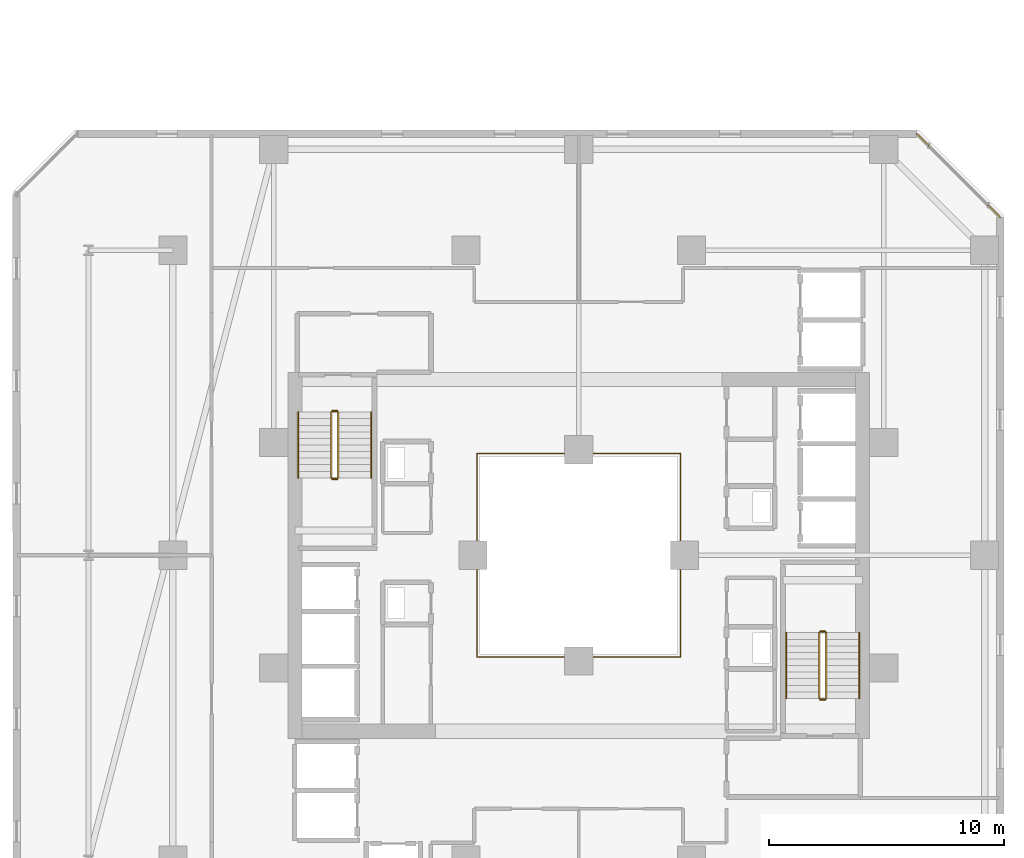
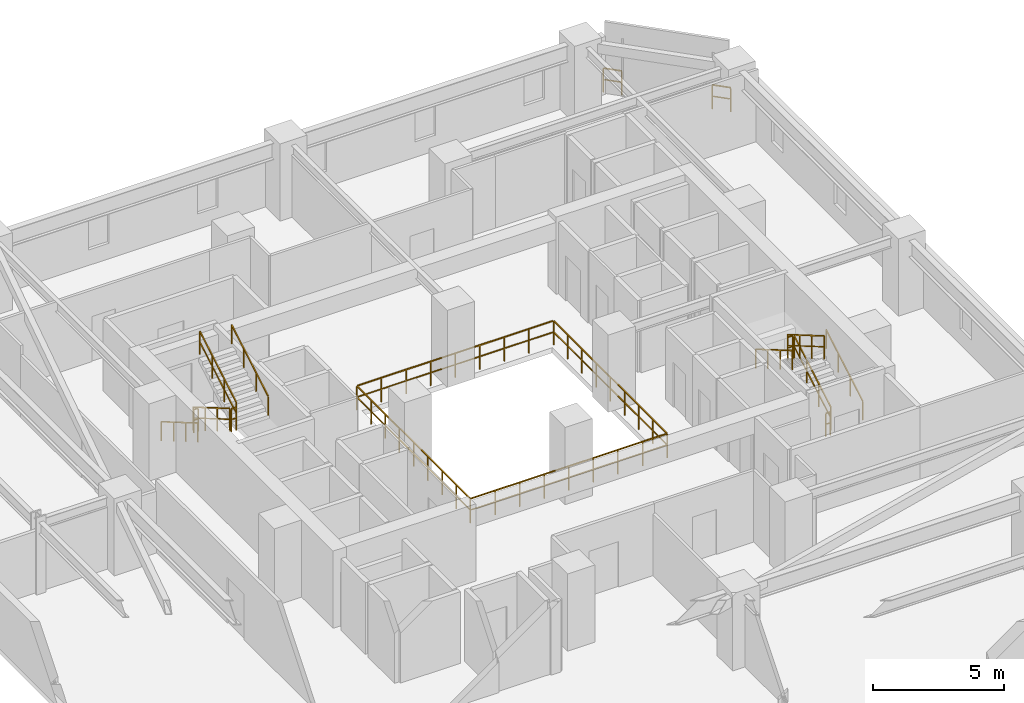
# One storey, part 33 of 33: 15 railings.
"""IFC4 building model written with IfcOpenShell, lengths in metres."""

import ifcopenshell
import ifcopenshell.guid

model = None  # the IFC model being written
_history = None  # IfcOwnerHistory: only IFC2X3 demands one
_inside = {}  # id of a spatial element -> (the spatial element, [elements in it])
_under = {}  # id of a project, library or spatial element -> (it, [spatial elements below it])
_declared = {}  # id of a project -> (the project, [libraries it declares])
_typed = {}  # id of a type object -> (the type object, [elements of that type])
_made_of = {}  # id of a material, layer set ... -> (it, [elements and type objects made of it])


def new_model(schema):
    """Start an empty IFC model of exactly this schema.

    Asked for "IFC4X3", IfcOpenShell would pick the latest addendum, in which some entities
    have other attributes; the version numbers below select the first issue.
    IFC2X3 requires an IfcOwnerHistory on every rooted entity: one is made here for all.
    """
    global model, _history
    if schema == "IFC4X3":
        model = ifcopenshell.file(schema_version=(4, 3, 0, 0))
    else:
        model = ifcopenshell.file(schema=schema)
    _inside.clear()
    _under.clear()
    _declared.clear()
    _typed.clear()
    _made_of.clear()
    _history = None
    if model.schema == "IFC2X3":
        org = make("IfcOrganization", Name="unknown")
        user = make(
            "IfcPersonAndOrganization",
            ThePerson=make("IfcPerson", FamilyName="unknown"),
            TheOrganization=org,
        )
        app = make(
            "IfcApplication",
            ApplicationDeveloper=org,
            Version="unknown",
            ApplicationFullName="unknown",
            ApplicationIdentifier="unknown",
        )
        _history = make(
            "IfcOwnerHistory",
            OwningUser=user,
            OwningApplication=app,
            ChangeAction="ADDED",
            CreationDate=0,
        )
    return model


def make(cls, **values):
    """One entity of the class cls with the attributes given. An attribute that is None is left unset."""
    return model.create_entity(
        cls, **{name: value for name, value in values.items() if value is not None}
    )


def rooted(cls, **values):
    """An entity with a GlobalId (a new one), such as an element, a storey or a relation."""
    return make(cls, GlobalId=ifcopenshell.guid.new(), OwnerHistory=_history, **values)


def si_unit(unit_type, name, prefix=None):
    """IfcSIUnit, for example si_unit("LENGTHUNIT", "METRE", prefix="MILLI")."""
    return make("IfcSIUnit", UnitType=unit_type, Prefix=prefix, Name=name)


def assignment(units):
    """IfcUnitAssignment: the units of a project."""
    return None if units is None else make("IfcUnitAssignment", Units=units)


def point(xyz):
    """IfcCartesianPoint."""
    return None if xyz is None else make("IfcCartesianPoint", Coordinates=xyz)


def direction(xyz):
    """IfcDirection."""
    return None if xyz is None else make("IfcDirection", DirectionRatios=xyz)


def frame(location, z_axis=None, x_axis=None):
    """IfcAxis2Placement3D, a coordinate frame: its origin and axes. An axis left out is left unset."""
    return make(
        "IfcAxis2Placement3D",
        Location=point(location),
        Axis=direction(z_axis),
        RefDirection=direction(x_axis),
    )


def frame_2d(location, x_axis=None):
    """IfcAxis2Placement2D, a coordinate frame in the plane: its origin and x axis."""
    return make(
        "IfcAxis2Placement2D", Location=point(location), RefDirection=direction(x_axis)
    )


def origin():
    """The frame at (0, 0, 0) with its axes left unset."""
    return frame((0.0, 0.0, 0.0))


def origin_2d():
    """The frame at (0, 0) in the plane with its x axis left unset."""
    return frame_2d((0.0, 0.0))


def place(relative_to, where):
    """IfcLocalPlacement: puts the frame where relative to a parent placement (None: the world)."""
    return make(
        "IfcLocalPlacement", PlacementRelTo=relative_to, RelativePlacement=where
    )


def context(
    kind, dimensions, precision=None, world=None, true_north=None, identifier=None
):
    """IfcGeometricRepresentationContext, for example the 3D "Model" context."""
    return make(
        "IfcGeometricRepresentationContext",
        ContextIdentifier=identifier,
        ContextType=kind,
        CoordinateSpaceDimension=dimensions,
        Precision=precision,
        WorldCoordinateSystem=world,
        TrueNorth=true_north,
    )


def subcontext(parent, identifier, kind, view, scale=None):
    """IfcGeometricRepresentationSubContext, for example "Body" below "Model"."""
    return make(
        "IfcGeometricRepresentationSubContext",
        ContextIdentifier=identifier,
        ContextType=kind,
        ParentContext=parent,
        TargetScale=scale,
        TargetView=view,
    )


def project(units=None, contexts=None):
    """IfcProject with its units and contexts."""
    return rooted(
        "IfcProject",
        Name="project",
        RepresentationContexts=contexts,
        UnitsInContext=assignment(units),
    )


def spatial(cls, under=None, at=None, **own):
    """A site, building, storey or space (cls), placed at a placement, below another one or the project."""
    s = rooted(cls, ObjectPlacement=at, **own)
    if under is not None:
        _under.setdefault(under.id(), (under, []))[1].append(s)
    return s


def profile(cls, at=None, kind="AREA", **sizes):
    """A parametric profile (cls). Its sizes go by their IFC names, for example OverallWidth=200.0."""
    return make(cls, ProfileType=kind, Position=at, **sizes)


def rectangle(**sizes):
    """IfcRectangleProfileDef."""
    return profile("IfcRectangleProfileDef", **sizes)


def extrude(swept, where, along, depth):
    """IfcExtrudedAreaSolid: the profile swept, set in the frame where, extruded along a direction by depth."""
    return make(
        "IfcExtrudedAreaSolid",
        SweptArea=swept,
        Position=where,
        ExtrudedDirection=direction(along),
        Depth=depth,
    )


def shape(context_of_items, identifier, shape_type, items):
    """IfcShapeRepresentation: the items that make up one representation, for example the "Body"."""
    return make(
        "IfcShapeRepresentation",
        ContextOfItems=context_of_items,
        RepresentationIdentifier=identifier,
        RepresentationType=shape_type,
        Items=items,
    )


def material(Name=None, Category=None):
    """IfcMaterial."""
    return make("IfcMaterial", Name=Name, Category=Category)


def made_of(thing, what):
    """Note that an element or type object is made of a material, layer set ...; save() writes the relation."""
    if what is not None:
        _made_of.setdefault(what.id(), (what, []))[1].append(thing)
    return thing


def type_object(cls, material=None, **own):
    """A type object (cls), such as IfcWallType, which elements share."""
    return made_of(rooted(cls, **own), material)


def element(
    cls,
    number,
    at=None,
    inside=None,
    cuts=None,
    type_object=None,
    material=None,
    context=None,
    identifier="Body",
    shape_type=None,
    held_by="IfcProductDefinitionShape",
    body=None,
    shapes=None,
    **own,
):
    """One element of the class cls, such as IfcWall. Its Tag is "e" and its number.

    at: its placement. inside: the storey or other place that contains it. cuts: it is an
    opening in that element (IfcRelVoidsElement). A single representation is given by context,
    identifier, shape_type and body (its items); several are given by shapes. held_by: the class
    of the entity that holds the representations. save() writes the other relations.
    """
    e = rooted(cls, Tag="e%d" % number, ObjectPlacement=at, **own)
    if body is not None:
        shapes = [shape(context, identifier, shape_type, body)]
    if shapes is not None:
        e.Representation = make(held_by, Representations=shapes)
    if inside is not None:
        _inside.setdefault(inside.id(), (inside, []))[1].append(e)
    if cuts is not None:
        rooted(
            "IfcRelVoidsElement", RelatingBuildingElement=cuts, RelatedOpeningElement=e
        )
    if type_object is not None:
        _typed.setdefault(type_object.id(), (type_object, []))[1].append(e)
    return made_of(e, material)


def aggregate(whole, parts):
    """IfcRelAggregates: a whole, such as a stair, and the parts it consists of."""
    return rooted("IfcRelAggregates", RelatingObject=whole, RelatedObjects=parts)


def save(model, path):
    """Write the relations noted so far, then the file.

    IfcRelAggregates (storeys below a building ...), IfcRelContainedInSpatialStructure (elements
    in a storey), IfcRelDefinesByType, IfcRelAssociatesMaterial and IfcRelDeclares: one each for
    every whole, place, type object, material and project.
    """
    for whole, parts in _under.values():
        aggregate(whole, parts)
    for where, things in _inside.values():
        rooted(
            "IfcRelContainedInSpatialStructure",
            RelatedElements=things,
            RelatingStructure=where,
        )
    for kind, things in _typed.values():
        rooted("IfcRelDefinesByType", RelatedObjects=things, RelatingType=kind)
    for what, things in _made_of.values():
        rooted("IfcRelAssociatesMaterial", RelatedObjects=things, RelatingMaterial=what)
    for by, libraries in _declared.values():
        rooted("IfcRelDeclares", RelatingContext=by, RelatedDefinitions=libraries)
    model.write(path)


model = new_model("IFC4")

# Units and contexts
model_context = context("Model", 3, precision=1e-05, world=origin(), true_north=direction((0.0, 1.0)))
body_context = subcontext(model_context, "Body", "Model", "MODEL_VIEW")
ifc_project = project(units=[si_unit("LENGTHUNIT", "METRE"), si_unit("AREAUNIT", "SQUARE_METRE"), si_unit("VOLUMEUNIT", "CUBIC_METRE"), si_unit("PLANEANGLEUNIT", "RADIAN"), si_unit("MASSUNIT", "GRAM", prefix="KILO")], contexts=[model_context])

# Site, building, storey
site_placement = place(None, origin())
site = spatial("IfcSite", under=ifc_project, at=site_placement, CompositionType="ELEMENT")
building_placement = place(site_placement, origin())
building = spatial("IfcBuilding", under=site, at=building_placement, Name="Thornwick Lancets Civic Towers", CompositionType="ELEMENT")
storey_placement = place(building_placement, frame((0.0, 0.0, 105.300048828125)))
storey = spatial("IfcBuildingStorey", under=building, at=storey_placement, Name="L27", CompositionType="ELEMENT", Elevation=105.300048828125)

# Railings
ifc_material_1 = material(Name="Laminated glass and bronze steel S355", Category="steel")
railing_type_1 = type_object("IfcRailingType", Name="RAIL_ATRIUM_GUARD", PredefinedType="BALUSTRADE", material=ifc_material_1)
railing_1_placement = place(storey_placement, frame((84.159912109375, 22.659912109375, 0.0)))
element("IfcRailing", 1, at=railing_1_placement, inside=storey, type_object=railing_type_1, Name="L27 Tower B Central Atrium Guard Balustrade", PredefinedType="BALUSTRADE", context=body_context, shape_type="SweptSolid", body=[
    extrude(rectangle(XDim=0.048095703125, YDim=0.048095703125, at=origin_2d()), frame((0.0, 0.0, 1.1259765625), z_axis=(1.0, 0.0, 0.0), x_axis=(0.0, 1.0, 0.0)), (0.0, 0.0, 1.0), 8.64892578125),
    extrude(rectangle(XDim=0.0419921875, YDim=0.0419921875, at=origin_2d()), frame((0.03759765625, 0.0, 0.597900390625), z_axis=(1.0, 0.0, 0.0), x_axis=(0.0, 1.0, 0.0)), (0.0, 0.0, 1.0), 1.010009765625),
    extrude(rectangle(XDim=0.0419921875, YDim=0.0419921875, at=origin_2d()), frame((1.12255859375, 0.0, 0.597900390625), z_axis=(1.0, 0.0, 0.0), x_axis=(0.0, 1.0, 0.0)), (0.0, 0.0, 1.0), 1.010009765625),
    extrude(rectangle(XDim=0.0419921875, YDim=0.0419921875, at=origin_2d()), frame((2.20751953125, 0.0, 0.597900390625), z_axis=(1.0, 0.0, 0.0), x_axis=(0.0, 1.0, 0.0)), (0.0, 0.0, 1.0), 1.010009765625),
    extrude(rectangle(XDim=0.0419921875, YDim=0.0419921875, at=origin_2d()), frame((3.29248046875, 0.0, 0.597900390625), z_axis=(1.0, 0.0, 0.0), x_axis=(0.0, 1.0, 0.0)), (0.0, 0.0, 1.0), 1.010009765625),
    extrude(rectangle(XDim=0.0419921875, YDim=0.0419921875, at=origin_2d()), frame((4.377685546875, 0.0, 0.597900390625), z_axis=(1.0, 0.0, 0.0), x_axis=(0.0, 1.0, 0.0)), (0.0, 0.0, 1.0), 1.010009765625),
    extrude(rectangle(XDim=0.0419921875, YDim=0.0419921875, at=origin_2d()), frame((5.462646484375, 0.0, 0.597900390625), z_axis=(1.0, 0.0, 0.0), x_axis=(0.0, 1.0, 0.0)), (0.0, 0.0, 1.0), 1.010009765625),
    extrude(rectangle(XDim=0.0419921875, YDim=0.0419921875, at=origin_2d()), frame((6.547607421875, 0.0, 0.597900390625), z_axis=(1.0, 0.0, 0.0), x_axis=(0.0, 1.0, 0.0)), (0.0, 0.0, 1.0), 1.010009765625),
    extrude(rectangle(XDim=0.0419921875, YDim=0.0419921875, at=origin_2d()), frame((7.632568359375, 0.0, 0.597900390625), z_axis=(1.0, 0.0, 0.0), x_axis=(0.0, 1.0, 0.0)), (0.0, 0.0, 1.0), 1.010009765625),
    extrude(rectangle(XDim=0.048095703125, YDim=0.048095703125, at=origin_2d()), frame((8.68017578125, 0.03125, 1.1259765625), z_axis=(0.0, 1.0, 0.0), x_axis=(-1.0, 0.0, 0.0)), (0.0, 0.0, 1.0), 8.61767578125),
    extrude(rectangle(XDim=0.0419921875, YDim=0.0419921875, at=origin_2d()), frame((8.68017578125, 0.03759765625, 0.597900390625), z_axis=(0.0, 1.0, 0.0), x_axis=(-1.0, 0.0, 0.0)), (0.0, 0.0, 1.0), 1.010009765625),
    extrude(rectangle(XDim=0.0419921875, YDim=0.0419921875, at=origin_2d()), frame((8.68017578125, 1.12255859375, 0.597900390625), z_axis=(0.0, 1.0, 0.0), x_axis=(-1.0, 0.0, 0.0)), (0.0, 0.0, 1.0), 1.010009765625),
    extrude(rectangle(XDim=0.0419921875, YDim=0.0419921875, at=origin_2d()), frame((8.68017578125, 2.20751953125, 0.597900390625), z_axis=(0.0, 1.0, 0.0), x_axis=(-1.0, 0.0, 0.0)), (0.0, 0.0, 1.0), 1.010009765625),
    extrude(rectangle(XDim=0.0419921875, YDim=0.0419921875, at=origin_2d()), frame((8.68017578125, 3.29248046875, 0.597900390625), z_axis=(0.0, 1.0, 0.0), x_axis=(-1.0, 0.0, 0.0)), (0.0, 0.0, 1.0), 1.010009765625),
    extrude(rectangle(XDim=0.0419921875, YDim=0.0419921875, at=origin_2d()), frame((8.68017578125, 4.377685546875, 0.597900390625), z_axis=(0.0, 1.0, 0.0), x_axis=(-1.0, 0.0, 0.0)), (0.0, 0.0, 1.0), 1.010009765625),
    extrude(rectangle(XDim=0.0419921875, YDim=0.0419921875, at=origin_2d()), frame((8.68017578125, 5.462646484375, 0.597900390625), z_axis=(0.0, 1.0, 0.0), x_axis=(-1.0, 0.0, 0.0)), (0.0, 0.0, 1.0), 1.010009765625),
    extrude(rectangle(XDim=0.0419921875, YDim=0.0419921875, at=origin_2d()), frame((8.68017578125, 6.547607421875, 0.597900390625), z_axis=(0.0, 1.0, 0.0), x_axis=(-1.0, 0.0, 0.0)), (0.0, 0.0, 1.0), 1.010009765625),
    extrude(rectangle(XDim=0.0419921875, YDim=0.0419921875, at=origin_2d()), frame((8.68017578125, 7.632568359375, 0.597900390625), z_axis=(0.0, 1.0, 0.0), x_axis=(-1.0, 0.0, 0.0)), (0.0, 0.0, 1.0), 1.010009765625),
    extrude(rectangle(XDim=0.048095703125, YDim=0.048095703125, at=origin_2d()), frame((8.64892578125, 8.68017578125, 1.1259765625), z_axis=(-1.0, 0.0, 0.0), x_axis=(0.0, -1.0, 0.0)), (0.0, 0.0, 1.0), 8.61767578125),
    extrude(rectangle(XDim=0.0419921875, YDim=0.0419921875, at=origin_2d()), frame((8.642578125, 8.68017578125, 0.597900390625), z_axis=(-1.0, 0.0, 0.0), x_axis=(0.0, -1.0, 0.0)), (0.0, 0.0, 1.0), 1.010009765625),
    extrude(rectangle(XDim=0.0419921875, YDim=0.0419921875, at=origin_2d()), frame((7.5576171875, 8.68017578125, 0.597900390625), z_axis=(-1.0, 0.0, 0.0), x_axis=(0.0, -1.0, 0.0)), (0.0, 0.0, 1.0), 1.010009765625),
    extrude(rectangle(XDim=0.0419921875, YDim=0.0419921875, at=origin_2d()), frame((6.47265625, 8.68017578125, 0.597900390625), z_axis=(-1.0, 0.0, 0.0), x_axis=(0.0, -1.0, 0.0)), (0.0, 0.0, 1.0), 1.010009765625),
    extrude(rectangle(XDim=0.0419921875, YDim=0.0419921875, at=origin_2d()), frame((5.3876953125, 8.68017578125, 0.597900390625), z_axis=(-1.0, 0.0, 0.0), x_axis=(0.0, -1.0, 0.0)), (0.0, 0.0, 1.0), 1.010009765625),
    extrude(rectangle(XDim=0.0419921875, YDim=0.0419921875, at=origin_2d()), frame((4.302490234375, 8.68017578125, 0.597900390625), z_axis=(-1.0, 0.0, 0.0), x_axis=(0.0, -1.0, 0.0)), (0.0, 0.0, 1.0), 1.010009765625),
    extrude(rectangle(XDim=0.0419921875, YDim=0.0419921875, at=origin_2d()), frame((3.217529296875, 8.68017578125, 0.597900390625), z_axis=(-1.0, 0.0, 0.0), x_axis=(0.0, -1.0, 0.0)), (0.0, 0.0, 1.0), 1.010009765625),
    extrude(rectangle(XDim=0.0419921875, YDim=0.0419921875, at=origin_2d()), frame((2.132568359375, 8.68017578125, 0.597900390625), z_axis=(-1.0, 0.0, 0.0), x_axis=(0.0, -1.0, 0.0)), (0.0, 0.0, 1.0), 1.010009765625),
    extrude(rectangle(XDim=0.0419921875, YDim=0.0419921875, at=origin_2d()), frame((1.047607421875, 8.68017578125, 0.597900390625), z_axis=(-1.0, 0.0, 0.0), x_axis=(0.0, -1.0, 0.0)), (0.0, 0.0, 1.0), 1.010009765625),
    extrude(rectangle(XDim=0.048095703125, YDim=0.048095703125, at=origin_2d()), frame((0.0, 8.64892578125, 1.1259765625), z_axis=(0.0, -1.0, 0.0), x_axis=(1.0, 0.0, 0.0)), (0.0, 0.0, 1.0), 8.64892578125),
    extrude(rectangle(XDim=0.0419921875, YDim=0.0419921875, at=origin_2d()), frame((0.0, 8.642578125, 0.597900390625), z_axis=(0.0, -1.0, 0.0), x_axis=(1.0, 0.0, 0.0)), (0.0, 0.0, 1.0), 1.010009765625),
    extrude(rectangle(XDim=0.0419921875, YDim=0.0419921875, at=origin_2d()), frame((0.0, 7.5576171875, 0.597900390625), z_axis=(0.0, -1.0, 0.0), x_axis=(1.0, 0.0, 0.0)), (0.0, 0.0, 1.0), 1.010009765625),
    extrude(rectangle(XDim=0.0419921875, YDim=0.0419921875, at=origin_2d()), frame((0.0, 6.47265625, 0.597900390625), z_axis=(0.0, -1.0, 0.0), x_axis=(1.0, 0.0, 0.0)), (0.0, 0.0, 1.0), 1.010009765625),
    extrude(rectangle(XDim=0.0419921875, YDim=0.0419921875, at=origin_2d()), frame((0.0, 5.3876953125, 0.597900390625), z_axis=(0.0, -1.0, 0.0), x_axis=(1.0, 0.0, 0.0)), (0.0, 0.0, 1.0), 1.010009765625),
    extrude(rectangle(XDim=0.0419921875, YDim=0.0419921875, at=origin_2d()), frame((0.0, 4.302490234375, 0.597900390625), z_axis=(0.0, -1.0, 0.0), x_axis=(1.0, 0.0, 0.0)), (0.0, 0.0, 1.0), 1.010009765625),
    extrude(rectangle(XDim=0.0419921875, YDim=0.0419921875, at=origin_2d()), frame((0.0, 3.217529296875, 0.597900390625), z_axis=(0.0, -1.0, 0.0), x_axis=(1.0, 0.0, 0.0)), (0.0, 0.0, 1.0), 1.010009765625),
    extrude(rectangle(XDim=0.0419921875, YDim=0.0419921875, at=origin_2d()), frame((0.0, 2.132568359375, 0.597900390625), z_axis=(0.0, -1.0, 0.0), x_axis=(1.0, 0.0, 0.0)), (0.0, 0.0, 1.0), 1.010009765625),
    extrude(rectangle(XDim=0.0419921875, YDim=0.0419921875, at=origin_2d()), frame((0.0, 1.047607421875, 0.597900390625), z_axis=(0.0, -1.0, 0.0), x_axis=(1.0, 0.0, 0.0)), (0.0, 0.0, 1.0), 1.010009765625),
    extrude(rectangle(XDim=0.0419921875, YDim=0.0419921875, at=origin_2d()), origin(), (0.0, 0.0, 1.0), 1.095703125),
    extrude(rectangle(XDim=0.0419921875, YDim=0.0419921875, at=origin_2d()), frame((1.0849609375, 0.0, 0.0)), (0.0, 0.0, 1.0), 1.095703125),
    extrude(rectangle(XDim=0.0419921875, YDim=0.0419921875, at=origin_2d()), frame((2.169921875, 0.0, 0.0)), (0.0, 0.0, 1.0), 1.095703125),
    extrude(rectangle(XDim=0.0419921875, YDim=0.0419921875, at=origin_2d()), frame((3.255126953125, 0.0, 0.0)), (0.0, 0.0, 1.0), 1.095703125),
    extrude(rectangle(XDim=0.0419921875, YDim=0.0419921875, at=origin_2d()), frame((4.340087890625, 0.0, 0.0)), (0.0, 0.0, 1.0), 1.095703125),
    extrude(rectangle(XDim=0.0419921875, YDim=0.0419921875, at=origin_2d()), frame((5.425048828125, 0.0, 0.0)), (0.0, 0.0, 1.0), 1.095703125),
    extrude(rectangle(XDim=0.0419921875, YDim=0.0419921875, at=origin_2d()), frame((6.51025390625, 0.0, 0.0)), (0.0, 0.0, 1.0), 1.095703125),
    extrude(rectangle(XDim=0.0419921875, YDim=0.0419921875, at=origin_2d()), frame((7.59521484375, 0.0, 0.0)), (0.0, 0.0, 1.0), 1.095703125),
    extrude(rectangle(XDim=0.0419921875, YDim=0.0419921875, at=origin_2d()), frame((8.68017578125, 0.0, 0.0)), (0.0, 0.0, 1.0), 1.095703125),
    extrude(rectangle(XDim=0.0419921875, YDim=0.0419921875, at=origin_2d()), frame((8.68017578125, 1.0849609375, 0.0)), (0.0, 0.0, 1.0), 1.095703125),
    extrude(rectangle(XDim=0.0419921875, YDim=0.0419921875, at=origin_2d()), frame((8.68017578125, 2.169921875, 0.0)), (0.0, 0.0, 1.0), 1.095703125),
    extrude(rectangle(XDim=0.0419921875, YDim=0.0419921875, at=origin_2d()), frame((8.68017578125, 3.255126953125, 0.0)), (0.0, 0.0, 1.0), 1.095703125),
    extrude(rectangle(XDim=0.0419921875, YDim=0.0419921875, at=origin_2d()), frame((8.68017578125, 4.340087890625, 0.0)), (0.0, 0.0, 1.0), 1.095703125),
    extrude(rectangle(XDim=0.0419921875, YDim=0.0419921875, at=origin_2d()), frame((8.68017578125, 5.425048828125, 0.0)), (0.0, 0.0, 1.0), 1.095703125),
    extrude(rectangle(XDim=0.0419921875, YDim=0.0419921875, at=origin_2d()), frame((8.68017578125, 6.51025390625, 0.0)), (0.0, 0.0, 1.0), 1.095703125),
    extrude(rectangle(XDim=0.0419921875, YDim=0.0419921875, at=origin_2d()), frame((8.68017578125, 7.59521484375, 0.0)), (0.0, 0.0, 1.0), 1.095703125),
    extrude(rectangle(XDim=0.0419921875, YDim=0.0419921875, at=origin_2d()), frame((8.68017578125, 8.68017578125, 0.0)), (0.0, 0.0, 1.0), 1.095703125),
    extrude(rectangle(XDim=0.0419921875, YDim=0.0419921875, at=origin_2d()), frame((7.59521484375, 8.68017578125, 0.0)), (0.0, 0.0, 1.0), 1.095703125),
    extrude(rectangle(XDim=0.0419921875, YDim=0.0419921875, at=origin_2d()), frame((6.51025390625, 8.68017578125, 0.0)), (0.0, 0.0, 1.0), 1.095703125),
    extrude(rectangle(XDim=0.0419921875, YDim=0.0419921875, at=origin_2d()), frame((5.425048828125, 8.68017578125, 0.0)), (0.0, 0.0, 1.0), 1.095703125),
    extrude(rectangle(XDim=0.0419921875, YDim=0.0419921875, at=origin_2d()), frame((4.340087890625, 8.68017578125, 0.0)), (0.0, 0.0, 1.0), 1.095703125),
    extrude(rectangle(XDim=0.0419921875, YDim=0.0419921875, at=origin_2d()), frame((3.255126953125, 8.68017578125, 0.0)), (0.0, 0.0, 1.0), 1.095703125),
    extrude(rectangle(XDim=0.0419921875, YDim=0.0419921875, at=origin_2d()), frame((2.169921875, 8.68017578125, 0.0)), (0.0, 0.0, 1.0), 1.095703125),
    extrude(rectangle(XDim=0.0419921875, YDim=0.0419921875, at=origin_2d()), frame((1.0849609375, 8.68017578125, 0.0)), (0.0, 0.0, 1.0), 1.095703125),
    extrude(rectangle(XDim=0.0419921875, YDim=0.0419921875, at=origin_2d()), frame((0.0, 8.68017578125, 0.0)), (0.0, 0.0, 1.0), 1.095703125),
    extrude(rectangle(XDim=0.0419921875, YDim=0.0419921875, at=origin_2d()), frame((0.0, 7.59521484375, 0.0)), (0.0, 0.0, 1.0), 1.095703125),
    extrude(rectangle(XDim=0.0419921875, YDim=0.0419921875, at=origin_2d()), frame((0.0, 6.51025390625, 0.0)), (0.0, 0.0, 1.0), 1.095703125),
    extrude(rectangle(XDim=0.0419921875, YDim=0.0419921875, at=origin_2d()), frame((0.0, 5.425048828125, 0.0)), (0.0, 0.0, 1.0), 1.095703125),
    extrude(rectangle(XDim=0.0419921875, YDim=0.0419921875, at=origin_2d()), frame((0.0, 4.340087890625, 0.0)), (0.0, 0.0, 1.0), 1.095703125),
    extrude(rectangle(XDim=0.0419921875, YDim=0.0419921875, at=origin_2d()), frame((0.0, 3.255126953125, 0.0)), (0.0, 0.0, 1.0), 1.095703125),
    extrude(rectangle(XDim=0.0419921875, YDim=0.0419921875, at=origin_2d()), frame((0.0, 2.169921875, 0.0)), (0.0, 0.0, 1.0), 1.095703125),
    extrude(rectangle(XDim=0.0419921875, YDim=0.0419921875, at=origin_2d()), frame((0.0, 1.0849609375, 0.0)), (0.0, 0.0, 1.0), 1.095703125),
])
ifc_material_2 = material(Name="Brushed stainless steel S355", Category="steel")
railing_type_2 = type_object("IfcRailingType", Name="RAIL_HANDRAIL", PredefinedType="HANDRAIL", material=ifc_material_2)
railing_2_placement = place(storey_placement, frame((100.449951171875, 20.89990234375, 0.16357421875)))
element("IfcRailing", 2, at=railing_2_placement, inside=storey, type_object=railing_type_2, Name="L27 ST-B1 stair handrail 1", PredefinedType="HANDRAIL", context=body_context, shape_type="SweptSolid", body=[
    extrude(rectangle(XDim=0.048095703125, YDim=0.048095703125, at=origin_2d()), frame((0.0, 0.0, 0.8857421875), z_axis=(0.0, 0.863360870873, 0.504586966384), x_axis=(-1.0, 0.0, 0.0)), (0.0, 0.0, 1.0), 3.2431640625),
    extrude(rectangle(XDim=0.0419921875, YDim=0.0419921875, at=origin_2d()), origin(), (0.0, 0.0, 1.0), 0.855712890625),
    extrude(rectangle(XDim=0.0419921875, YDim=0.0419921875, at=origin_2d()), frame((0.0, 0.933349609375, 0.54541015625)), (0.0, 0.0, 1.0), 0.855712890625),
    extrude(rectangle(XDim=0.0419921875, YDim=0.0419921875, at=origin_2d()), frame((0.0, 1.86669921875, 1.091064453125)), (0.0, 0.0, 1.0), 0.855712890625),
    extrude(rectangle(XDim=0.0419921875, YDim=0.0419921875, at=origin_2d()), frame((0.0, 2.800048828125, 1.636474609375)), (0.0, 0.0, 1.0), 0.855712890625),
])
railing_3_placement = place(storey_placement, frame((97.35009765625, 23.699951171875, 1.963623046875)))
element("IfcRailing", 3, at=railing_3_placement, inside=storey, type_object=railing_type_2, Name="L27 ST-B1 stair handrail 2", PredefinedType="HANDRAIL", context=body_context, shape_type="SweptSolid", body=[
    extrude(rectangle(XDim=0.048095703125, YDim=0.048095703125, at=origin_2d()), frame((0.0, 0.0, 0.8857421875), z_axis=(0.0, -0.863393664356, 0.504530851732), x_axis=(1.0, 0.0, 0.0)), (0.0, 0.0, 1.0), 3.2431640625),
    extrude(rectangle(XDim=0.0419921875, YDim=0.0419921875, at=origin_2d()), origin(), (0.0, 0.0, 1.0), 0.855712890625),
    extrude(rectangle(XDim=0.0419921875, YDim=0.0419921875, at=origin_2d()), frame((0.0, -0.933349609375, 0.54541015625)), (0.0, 0.0, 1.0), 0.855712890625),
    extrude(rectangle(XDim=0.0419921875, YDim=0.0419921875, at=origin_2d()), frame((0.0, -1.86669921875, 1.0908203125)), (0.0, 0.0, 1.0), 0.855712890625),
    extrude(rectangle(XDim=0.0419921875, YDim=0.0419921875, at=origin_2d()), frame((0.0, -2.800048828125, 1.63623046875)), (0.0, 0.0, 1.0), 0.855712890625),
])
railing_4_placement = place(storey_placement, frame((76.550048828125, 33.10009765625, 0.16357421875)))
element("IfcRailing", 4, at=railing_4_placement, inside=storey, type_object=railing_type_2, Name="L27 ST-B2 stair handrail 1", PredefinedType="HANDRAIL", context=body_context, shape_type="SweptSolid", body=[
    extrude(rectangle(XDim=0.048095703125, YDim=0.048095703125, at=origin_2d()), frame((0.0, 0.0, 0.8857421875), z_axis=(0.0, -0.863360870873, 0.504586966384), x_axis=(1.0, 0.0, 0.0)), (0.0, 0.0, 1.0), 3.2431640625),
    extrude(rectangle(XDim=0.0419921875, YDim=0.0419921875, at=origin_2d()), origin(), (0.0, 0.0, 1.0), 0.855712890625),
    extrude(rectangle(XDim=0.0419921875, YDim=0.0419921875, at=origin_2d()), frame((0.0, -0.933349609375, 0.54541015625)), (0.0, 0.0, 1.0), 0.855712890625),
    extrude(rectangle(XDim=0.0419921875, YDim=0.0419921875, at=origin_2d()), frame((0.0, -1.86669921875, 1.091064453125)), (0.0, 0.0, 1.0), 0.855712890625),
    extrude(rectangle(XDim=0.0419921875, YDim=0.0419921875, at=origin_2d()), frame((0.0, -2.800048828125, 1.636474609375)), (0.0, 0.0, 1.0), 0.855712890625),
])
railing_5_placement = place(storey_placement, frame((79.64990234375, 30.300048828125, 1.963623046875)))
element("IfcRailing", 5, at=railing_5_placement, inside=storey, type_object=railing_type_2, Name="L27 ST-B2 stair handrail 2", PredefinedType="HANDRAIL", context=body_context, shape_type="SweptSolid", body=[
    extrude(rectangle(XDim=0.048095703125, YDim=0.048095703125, at=origin_2d()), frame((0.0, 0.0, 0.8857421875), z_axis=(0.0, 0.863393664356, 0.504530851732), x_axis=(-1.0, 0.0, 0.0)), (0.0, 0.0, 1.0), 3.2431640625),
    extrude(rectangle(XDim=0.0419921875, YDim=0.0419921875, at=origin_2d()), origin(), (0.0, 0.0, 1.0), 0.855712890625),
    extrude(rectangle(XDim=0.0419921875, YDim=0.0419921875, at=origin_2d()), frame((0.0, 0.933349609375, 0.54541015625)), (0.0, 0.0, 1.0), 0.855712890625),
    extrude(rectangle(XDim=0.0419921875, YDim=0.0419921875, at=origin_2d()), frame((0.0, 1.86669921875, 1.0908203125)), (0.0, 0.0, 1.0), 0.855712890625),
    extrude(rectangle(XDim=0.0419921875, YDim=0.0419921875, at=origin_2d()), frame((0.0, 2.800048828125, 1.63623046875)), (0.0, 0.0, 1.0), 0.855712890625),
])
ifc_material_3 = material(Name="Steel S355JR", Category="steel")
railing_type_3 = type_object("IfcRailingType", Name="RAIL_STAIR_GUARD", PredefinedType="GUARDRAIL", material=ifc_material_3)
railing_6_placement = place(storey_placement, frame((99.050048828125, 20.89990234375, 0.16357421875)))
element("IfcRailing", 6, at=railing_6_placement, inside=storey, type_object=railing_type_3, Name="L27 ST-B1 stair guard 1", PredefinedType="GUARDRAIL", context=body_context, shape_type="SweptSolid", body=[
    extrude(rectangle(XDim=0.048095703125, YDim=0.048095703125, at=origin_2d()), frame((0.0, 0.0, 1.076171875), z_axis=(0.0, 0.863360870873, 0.504586966384), x_axis=(-1.0, 0.0, 0.0)), (0.0, 0.0, 1.0), 3.2431640625),
    extrude(rectangle(XDim=0.0419921875, YDim=0.0419921875, at=origin_2d()), frame((0.0, 0.032470703125, 0.591064453125), z_axis=(0.0, 0.863360870873, 0.504586966384), x_axis=(-1.0, 0.0, 0.0)), (0.0, 0.0, 1.0), 1.006103515625),
    extrude(rectangle(XDim=0.0419921875, YDim=0.0419921875, at=origin_2d()), frame((0.0, 0.9658203125, 1.136474609375), z_axis=(0.0, 0.863360870873, 0.504586966384), x_axis=(-1.0, 0.0, 0.0)), (0.0, 0.0, 1.0), 1.006103515625),
    extrude(rectangle(XDim=0.0419921875, YDim=0.0419921875, at=origin_2d()), frame((0.0, 1.899169921875, 1.681884765625), z_axis=(0.0, 0.863360870873, 0.504586966384), x_axis=(-1.0, 0.0, 0.0)), (0.0, 0.0, 1.0), 1.006103515625),
    extrude(rectangle(XDim=0.0419921875, YDim=0.0419921875, at=origin_2d()), origin(), (0.0, 0.0, 1.0), 1.0458984375),
    extrude(rectangle(XDim=0.0419921875, YDim=0.0419921875, at=origin_2d()), frame((0.0, 0.933349609375, 0.54541015625)), (0.0, 0.0, 1.0), 1.0458984375),
    extrude(rectangle(XDim=0.0419921875, YDim=0.0419921875, at=origin_2d()), frame((0.0, 1.86669921875, 1.091064453125)), (0.0, 0.0, 1.0), 1.0458984375),
    extrude(rectangle(XDim=0.0419921875, YDim=0.0419921875, at=origin_2d()), frame((0.0, 2.800048828125, 1.636474609375)), (0.0, 0.0, 1.0), 1.0458984375),
])
railing_7_placement = place(storey_placement, frame((99.0, 23.75, 1.800048828125)))
element("IfcRailing", 7, at=railing_7_placement, inside=storey, type_object=railing_type_3, Name="L27 ST-B1 stair guard 2", PredefinedType="GUARDRAIL", context=body_context, shape_type="SweptSolid", body=[
    extrude(rectangle(XDim=0.048095703125, YDim=0.048095703125, at=origin_2d()), frame((0.0, 0.0, 1.076171875), z_axis=(-1.0, 0.0, 0.0), x_axis=(0.0, -1.0, 0.0)), (0.0, 0.0, 1.0), 0.199951171875),
    extrude(rectangle(XDim=0.0419921875, YDim=0.0419921875, at=origin_2d()), frame((-0.03759765625, 0.0, 0.572021484375), z_axis=(-1.0, 0.0, 0.0), x_axis=(0.0, -1.0, 0.0)), (0.0, 0.0, 1.0), 0.125),
    extrude(rectangle(XDim=0.0419921875, YDim=0.0419921875, at=origin_2d()), origin(), (0.0, 0.0, 1.0), 1.0458984375),
    extrude(rectangle(XDim=0.0419921875, YDim=0.0419921875, at=origin_2d()), frame((-0.199951171875, 0.0, 0.0)), (0.0, 0.0, 1.0), 1.0458984375),
])
railing_8_placement = place(storey_placement, frame((98.75, 23.699951171875, 1.963623046875)))
element("IfcRailing", 8, at=railing_8_placement, inside=storey, type_object=railing_type_3, Name="L27 ST-B1 stair guard 3", PredefinedType="GUARDRAIL", context=body_context, shape_type="SweptSolid", body=[
    extrude(rectangle(XDim=0.048095703125, YDim=0.048095703125, at=origin_2d()), frame((0.0, 0.0, 1.076171875), z_axis=(0.0, -0.863393664356, 0.504530851732), x_axis=(1.0, 0.0, 0.0)), (0.0, 0.0, 1.0), 3.2431640625),
    extrude(rectangle(XDim=0.0419921875, YDim=0.0419921875, at=origin_2d()), frame((0.0, -0.032470703125, 0.591064453125), z_axis=(0.0, -0.863393664356, 0.504530851732), x_axis=(1.0, 0.0, 0.0)), (0.0, 0.0, 1.0), 1.006103515625),
    extrude(rectangle(XDim=0.0419921875, YDim=0.0419921875, at=origin_2d()), frame((0.0, -0.9658203125, 1.136474609375), z_axis=(0.0, -0.863393664356, 0.504530851732), x_axis=(1.0, 0.0, 0.0)), (0.0, 0.0, 1.0), 1.006103515625),
    extrude(rectangle(XDim=0.0419921875, YDim=0.0419921875, at=origin_2d()), frame((0.0, -1.899169921875, 1.681884765625), z_axis=(0.0, -0.863393664356, 0.504530851732), x_axis=(1.0, 0.0, 0.0)), (0.0, 0.0, 1.0), 1.006103515625),
    extrude(rectangle(XDim=0.0419921875, YDim=0.0419921875, at=origin_2d()), origin(), (0.0, 0.0, 1.0), 1.0458984375),
    extrude(rectangle(XDim=0.0419921875, YDim=0.0419921875, at=origin_2d()), frame((0.0, -0.933349609375, 0.54541015625)), (0.0, 0.0, 1.0), 1.0458984375),
    extrude(rectangle(XDim=0.0419921875, YDim=0.0419921875, at=origin_2d()), frame((0.0, -1.86669921875, 1.0908203125)), (0.0, 0.0, 1.0), 1.0458984375),
    extrude(rectangle(XDim=0.0419921875, YDim=0.0419921875, at=origin_2d()), frame((0.0, -2.800048828125, 1.63623046875)), (0.0, 0.0, 1.0), 1.0458984375),
])
railing_9_placement = place(storey_placement, frame((99.0, 20.85009765625, 0.0)))
element("IfcRailing", 9, at=railing_9_placement, inside=storey, type_object=railing_type_3, Name="L27 ST-B1 stair guard 4", PredefinedType="GUARDRAIL", context=body_context, shape_type="SweptSolid", body=[
    extrude(rectangle(XDim=0.048095703125, YDim=0.048095703125, at=origin_2d()), frame((0.0, 0.0, 1.076171875), z_axis=(-1.0, 0.0, 0.0), x_axis=(0.0, -1.0, 0.0)), (0.0, 0.0, 1.0), 0.199951171875),
    extrude(rectangle(XDim=0.0419921875, YDim=0.0419921875, at=origin_2d()), frame((-0.03759765625, 0.0, 0.572021484375), z_axis=(-1.0, 0.0, 0.0), x_axis=(0.0, -1.0, 0.0)), (0.0, 0.0, 1.0), 0.125),
    extrude(rectangle(XDim=0.0419921875, YDim=0.0419921875, at=origin_2d()), origin(), (0.0, 0.0, 1.0), 1.0458984375),
    extrude(rectangle(XDim=0.0419921875, YDim=0.0419921875, at=origin_2d()), frame((-0.199951171875, 0.0, 0.0)), (0.0, 0.0, 1.0), 1.0458984375),
])
railing_10_placement = place(storey_placement, frame((77.949951171875, 33.10009765625, 0.16357421875)))
element("IfcRailing", 10, at=railing_10_placement, inside=storey, type_object=railing_type_3, Name="L27 ST-B2 stair guard 1", PredefinedType="GUARDRAIL", context=body_context, shape_type="SweptSolid", body=[
    extrude(rectangle(XDim=0.048095703125, YDim=0.048095703125, at=origin_2d()), frame((0.0, 0.0, 1.076171875), z_axis=(0.0, -0.863360870873, 0.504586966384), x_axis=(1.0, 0.0, 0.0)), (0.0, 0.0, 1.0), 3.2431640625),
    extrude(rectangle(XDim=0.0419921875, YDim=0.0419921875, at=origin_2d()), frame((0.0, -0.032470703125, 0.591064453125), z_axis=(0.0, -0.863360870873, 0.504586966384), x_axis=(1.0, 0.0, 0.0)), (0.0, 0.0, 1.0), 1.006103515625),
    extrude(rectangle(XDim=0.0419921875, YDim=0.0419921875, at=origin_2d()), frame((0.0, -0.9658203125, 1.136474609375), z_axis=(0.0, -0.863360870873, 0.504586966384), x_axis=(1.0, 0.0, 0.0)), (0.0, 0.0, 1.0), 1.006103515625),
    extrude(rectangle(XDim=0.0419921875, YDim=0.0419921875, at=origin_2d()), frame((0.0, -1.899169921875, 1.681884765625), z_axis=(0.0, -0.863360870873, 0.504586966384), x_axis=(1.0, 0.0, 0.0)), (0.0, 0.0, 1.0), 1.006103515625),
    extrude(rectangle(XDim=0.0419921875, YDim=0.0419921875, at=origin_2d()), origin(), (0.0, 0.0, 1.0), 1.0458984375),
    extrude(rectangle(XDim=0.0419921875, YDim=0.0419921875, at=origin_2d()), frame((0.0, -0.933349609375, 0.54541015625)), (0.0, 0.0, 1.0), 1.0458984375),
    extrude(rectangle(XDim=0.0419921875, YDim=0.0419921875, at=origin_2d()), frame((0.0, -1.86669921875, 1.091064453125)), (0.0, 0.0, 1.0), 1.0458984375),
    extrude(rectangle(XDim=0.0419921875, YDim=0.0419921875, at=origin_2d()), frame((0.0, -2.800048828125, 1.636474609375)), (0.0, 0.0, 1.0), 1.0458984375),
])
railing_11_placement = place(storey_placement, frame((78.0, 30.25, 1.800048828125)))
element("IfcRailing", 11, at=railing_11_placement, inside=storey, type_object=railing_type_3, Name="L27 ST-B2 stair guard 2", PredefinedType="GUARDRAIL", context=body_context, shape_type="SweptSolid", body=[
    extrude(rectangle(XDim=0.048095703125, YDim=0.048095703125, at=origin_2d()), frame((0.0, 0.0, 1.076171875), z_axis=(1.0, 0.0, 0.0), x_axis=(0.0, 1.0, 0.0)), (0.0, 0.0, 1.0), 0.199951171875),
    extrude(rectangle(XDim=0.0419921875, YDim=0.0419921875, at=origin_2d()), frame((0.03759765625, 0.0, 0.572021484375), z_axis=(1.0, 0.0, 0.0), x_axis=(0.0, 1.0, 0.0)), (0.0, 0.0, 1.0), 0.125),
    extrude(rectangle(XDim=0.0419921875, YDim=0.0419921875, at=origin_2d()), origin(), (0.0, 0.0, 1.0), 1.0458984375),
    extrude(rectangle(XDim=0.0419921875, YDim=0.0419921875, at=origin_2d()), frame((0.199951171875, 0.0, 0.0)), (0.0, 0.0, 1.0), 1.0458984375),
])
railing_12_placement = place(storey_placement, frame((78.25, 30.300048828125, 1.963623046875)))
element("IfcRailing", 12, at=railing_12_placement, inside=storey, type_object=railing_type_3, Name="L27 ST-B2 stair guard 3", PredefinedType="GUARDRAIL", context=body_context, shape_type="SweptSolid", body=[
    extrude(rectangle(XDim=0.048095703125, YDim=0.048095703125, at=origin_2d()), frame((0.0, 0.0, 1.076171875), z_axis=(0.0, 0.863393664356, 0.504530851732), x_axis=(-1.0, 0.0, 0.0)), (0.0, 0.0, 1.0), 3.2431640625),
    extrude(rectangle(XDim=0.0419921875, YDim=0.0419921875, at=origin_2d()), frame((0.0, 0.032470703125, 0.591064453125), z_axis=(0.0, 0.863393664356, 0.504530851732), x_axis=(-1.0, 0.0, 0.0)), (0.0, 0.0, 1.0), 1.006103515625),
    extrude(rectangle(XDim=0.0419921875, YDim=0.0419921875, at=origin_2d()), frame((0.0, 0.9658203125, 1.136474609375), z_axis=(0.0, 0.863393664356, 0.504530851732), x_axis=(-1.0, 0.0, 0.0)), (0.0, 0.0, 1.0), 1.006103515625),
    extrude(rectangle(XDim=0.0419921875, YDim=0.0419921875, at=origin_2d()), frame((0.0, 1.899169921875, 1.681884765625), z_axis=(0.0, 0.863393664356, 0.504530851732), x_axis=(-1.0, 0.0, 0.0)), (0.0, 0.0, 1.0), 1.006103515625),
    extrude(rectangle(XDim=0.0419921875, YDim=0.0419921875, at=origin_2d()), origin(), (0.0, 0.0, 1.0), 1.0458984375),
    extrude(rectangle(XDim=0.0419921875, YDim=0.0419921875, at=origin_2d()), frame((0.0, 0.933349609375, 0.54541015625)), (0.0, 0.0, 1.0), 1.0458984375),
    extrude(rectangle(XDim=0.0419921875, YDim=0.0419921875, at=origin_2d()), frame((0.0, 1.86669921875, 1.0908203125)), (0.0, 0.0, 1.0), 1.0458984375),
    extrude(rectangle(XDim=0.0419921875, YDim=0.0419921875, at=origin_2d()), frame((0.0, 2.800048828125, 1.63623046875)), (0.0, 0.0, 1.0), 1.0458984375),
])
railing_13_placement = place(storey_placement, frame((78.0, 33.14990234375, 0.0)))
element("IfcRailing", 13, at=railing_13_placement, inside=storey, type_object=railing_type_3, Name="L27 ST-B2 stair guard 4", PredefinedType="GUARDRAIL", context=body_context, shape_type="SweptSolid", body=[
    extrude(rectangle(XDim=0.048095703125, YDim=0.048095703125, at=origin_2d()), frame((0.0, 0.0, 1.076171875), z_axis=(1.0, 0.0, 0.0), x_axis=(0.0, 1.0, 0.0)), (0.0, 0.0, 1.0), 0.199951171875),
    extrude(rectangle(XDim=0.0419921875, YDim=0.0419921875, at=origin_2d()), frame((0.03759765625, 0.0, 0.572021484375), z_axis=(1.0, 0.0, 0.0), x_axis=(0.0, 1.0, 0.0)), (0.0, 0.0, 1.0), 0.125),
    extrude(rectangle(XDim=0.0419921875, YDim=0.0419921875, at=origin_2d()), origin(), (0.0, 0.0, 1.0), 1.0458984375),
    extrude(rectangle(XDim=0.0419921875, YDim=0.0419921875, at=origin_2d()), frame((0.199951171875, 0.0, 0.0)), (0.0, 0.0, 1.0), 1.0458984375),
])
ifc_material_4 = material(Name="Terracotta-capped laminated glass balustrade S355", Category="masonry")
railing_type_4 = type_object("IfcRailingType", Name="RAIL_TERR_GUARD", PredefinedType="GUARDRAIL", material=ifc_material_4)
for number, where, name in (
    (14, (106.46142578125, 41.403076171875, 0.0), "L27 Tower B Chamfer Spandrel Guard E3-1"),
    (15, (103.416015625, 44.448486328125, 0.0), "L27 Tower B Chamfer Spandrel Guard E3-2"),
):
    element("IfcRailing", number, at=place(storey_placement, frame(where)), inside=storey, type_object=railing_type_4, Name=name, PredefinedType="GUARDRAIL", context=body_context, shape_type="SweptSolid", body=[
        extrude(rectangle(XDim=0.048095703125, YDim=0.048095703125, at=origin_2d()), frame((0.0, 0.0, 1.1259765625), z_axis=(-0.707106781187, 0.707106781187, 0.0), x_axis=(-0.707106781187, -0.707106781187, 0.0)), (0.0, 0.0, 1.0), 0.725341796875),
        extrude(rectangle(XDim=0.0419921875, YDim=0.0419921875, at=origin_2d()), frame((-0.026611328125, 0.026611328125, 0.597900390625), z_axis=(-0.707106781187, 0.707106781187, 0.0), x_axis=(-0.707106781187, -0.707106781187, 0.0)), (0.0, 0.0, 1.0), 0.650390625),
        extrude(rectangle(XDim=0.0419921875, YDim=0.0419921875, at=origin_2d()), origin(), (0.0, 0.0, 1.0), 1.095703125),
        extrude(rectangle(XDim=0.0419921875, YDim=0.0419921875, at=origin_2d()), frame((-0.512939453125, 0.512939453125, 0.0)), (0.0, 0.0, 1.0), 1.095703125),
    ])

save(model, "model.ifc")
